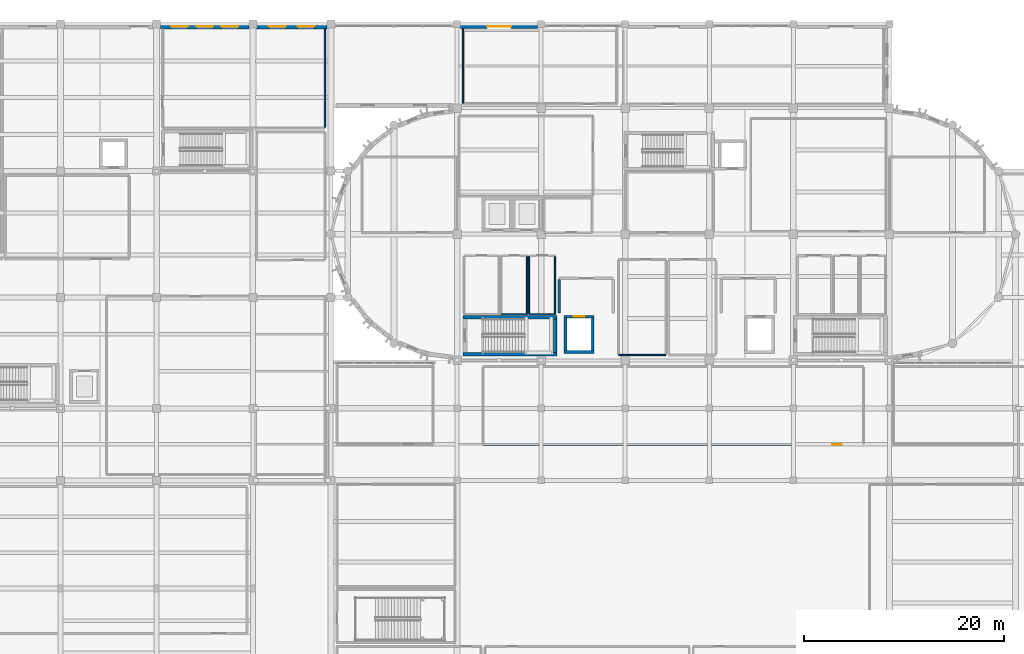
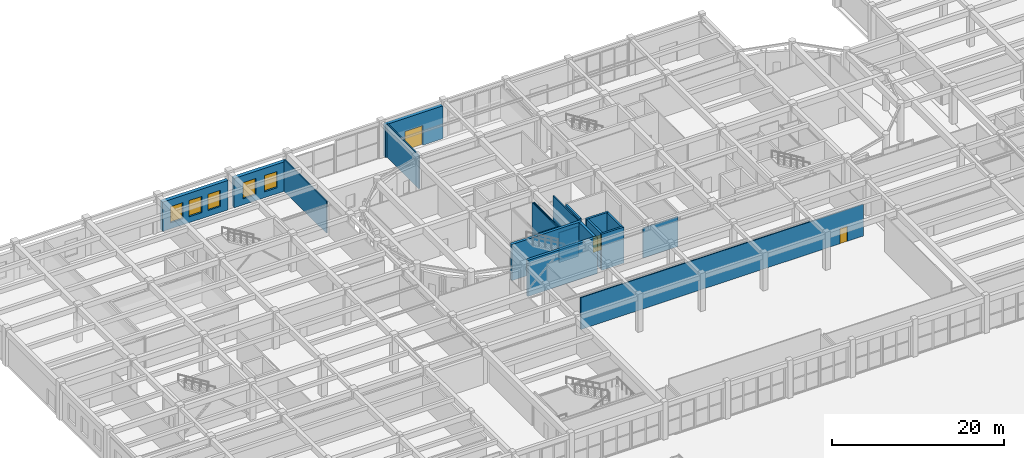
# One storey, part 72 of 98: 20 walls, 5 windows, 3 doors, 8 openings.
"""IFC4 building model written with IfcOpenShell, lengths in metres."""

from ifc_helpers import new_model, si_unit, direction, frame, frame_2d, origin, place, context, subcontext, project, spatial, rectangle, extrude, material, layer, layer_set, type_object, element, fill, save


model = new_model("IFC4")

# Units and contexts
model_context = context("Model", 3, precision=1e-05, world=origin(), true_north=direction((0.0, 1.0)))
body_context = subcontext(model_context, "Body", "Model", "MODEL_VIEW")
ifc_project = project(units=[si_unit("LENGTHUNIT", "METRE"), si_unit("AREAUNIT", "SQUARE_METRE"), si_unit("VOLUMEUNIT", "CUBIC_METRE"), si_unit("PLANEANGLEUNIT", "RADIAN"), si_unit("MASSUNIT", "GRAM", prefix="KILO")], contexts=[model_context])

# Site, building, storey
site_placement = place(None, origin())
site = spatial("IfcSite", under=ifc_project, at=site_placement, CompositionType="ELEMENT")
building_placement = place(site_placement, origin())
building = spatial("IfcBuilding", under=site, at=building_placement, Name="Tarnavel Promenade Courthouse", CompositionType="ELEMENT")
storey_placement = place(building_placement, origin())
storey = spatial("IfcBuildingStorey", under=building, at=storey_placement, Name="L01", CompositionType="ELEMENT", Elevation=0.0)

# Wall
ifc_material_1 = material(Name="Acoustic Insulated Gypsum Stud Partition", Category="gypsum")
ifc_layer_1 = layer(ifc_material_1, 0.1650390625)
ifc_layer_set_1 = layer_set([ifc_layer_1], Name="Acoustic Insulated Gypsum Stud Partition")
wall_type_1 = type_object("IfcWallType", Name="Acoustic Insulated Gypsum Stud Partition WL-CHM-165 (165 mm)", PredefinedType="PARTITIONING", material=ifc_layer_set_1)
wall_1_placement = place(storey_placement, frame((45.60009765625, 112.325927734375, 0.0), z_axis=(0.0, 0.0, 1.0), x_axis=(0.0, -1.0, 0.0)))
element("IfcWall", 1, at=wall_1_placement, inside=storey, type_object=wall_type_1, Name="L01 Jury Assembly Room Partition 0121", PredefinedType="PARTITIONING", context=body_context, shape_type="SweptSolid", body=[
    extrude(rectangle(XDim=9.83349609375, YDim=0.1650390625, at=frame_2d((4.916748046875, 0.0))), origin(), (0.0, 0.0, 1.0), 4.52001953125),
])

# Wall, opening, door
ifc_material_2 = material(Name="Concrete C40/50", Category="concrete")
ifc_layer_2 = layer(ifc_material_2, 0.280029296875)
ifc_layer_set_2 = layer_set([ifc_layer_2], Name="Concrete C40/50")
wall_type_2 = type_object("IfcWallType", Name="Concrete C40/50 WL-SHR-280 (280 mm)", PredefinedType="SHEAR", material=ifc_layer_set_2)
wall_2_placement = place(storey_placement, frame((69.5, 83.56005859375, 0.0), z_axis=(0.0, 0.0, 1.0), x_axis=(1.0, 0.0, 0.0)))
wall_2 = element("IfcWall", 2, at=wall_2_placement, inside=storey, type_object=wall_type_2, Name="L01 L-FF1 Lift Shaft North Wall", PredefinedType="SHEAR", context=body_context, shape_type="SweptSolid", body=[
    extrude(rectangle(XDim=3.0, YDim=0.280029296875, at=frame_2d((1.5, 0.0))), origin(), (0.0, 0.0, 1.0), 5.139892578125),
])
opening_1_placement = place(wall_2_placement, frame((0.949951171875, 0.0, 0.0)))
opening_1 = element("IfcOpeningElement", 3, at=opening_1_placement, cuts=wall_2, Name="Opening LD-01", PredefinedType="OPENING", context=body_context, shape_type="SweptSolid", body=[
    extrude(rectangle(XDim=1.10009765625, YDim=2.199951171875, at=frame_2d((0.550048828125, 1.10009765625))), frame((0.0, 0.14990234375, 0.0), z_axis=(0.0, -1.0, 0.0), x_axis=(1.0, 0.0, 0.0)), (0.0, 0.0, 1.0), 0.300048828125),
])
ifc_material_3 = material(Name="Stainless Steel Firefighting Lift Landing Sliding Door", Category="steel")
door_type_1 = type_object("IfcDoorType", Name="Stainless Steel Firefighting Lift Landing Sliding Door (LD-FF-1100x2200)", OperationType="NOTDEFINED", PredefinedType="DOOR", material=ifc_material_3)
door_1_placement = place(opening_1_placement, origin())
door_1 = element("IfcDoor", 4, at=door_1_placement, inside=storey, type_object=door_type_1, Name="L01 L-FF1 Lift Sliding Landing Door", OperationType="DOUBLE_DOOR_SLIDING", OverallHeight=2.199951171875, OverallWidth=1.10009765625, PredefinedType="DOOR", context=body_context, shape_type="SweptSolid", body=[
    extrude(rectangle(XDim=1.10009765625, YDim=2.199951171875, at=frame_2d((0.550048828125, 1.10009765625))), frame((0.0, 0.02490234375, 0.0), z_axis=(0.0, -1.0, 0.0), x_axis=(1.0, 0.0, 0.0)), (0.0, 0.0, 1.0), 0.050048828125),
])
fill(opening_1, door_1)

# Walls
wall_3_placement = place(storey_placement, frame((72.5, 80.0400390625, 0.0), z_axis=(0.0, 0.0, 1.0), x_axis=(-1.0, 0.0, 0.0)))
element("IfcWall", 5, at=wall_3_placement, inside=storey, type_object=wall_type_2, Name="L01 L-FF1 Lift Shaft South Wall", PredefinedType="SHEAR", context=body_context, shape_type="SweptSolid", body=[
    extrude(rectangle(XDim=3.0, YDim=0.280029296875, at=frame_2d((1.5, 0.0))), origin(), (0.0, 0.0, 1.0), 5.139892578125),
])
for number, where, z_axis, x_axis, name in (
    (6, (69.639892578125, 80.179931640625, 0.0), (0.0, 0.0, 1.0), (0.0, 1.0, 0.0), "L01 L-FF1 Lift Shaft West Wall"),
    (7, (72.360107421875, 83.419921875, 0.0), (0.0, 0.0, 1.0), (0.0, -1.0, 0.0), "L01 L-FF1 Lift Shaft East Wall"),
):
    element("IfcWall", number, at=place(storey_placement, frame(where, z_axis=z_axis, x_axis=x_axis)), inside=storey, type_object=wall_type_2, Name=name, PredefinedType="SHEAR", context=body_context, shape_type="SweptSolid", body=[
        extrude(rectangle(XDim=3.239990234375, YDim=0.280029296875, at=frame_2d((1.6201171875, 0.0))), origin(), (0.0, 0.0, 1.0), 5.139892578125),
    ])
ifc_layer_3 = layer(ifc_material_2, 0.360107421875)
ifc_layer_set_3 = layer_set([ifc_layer_3], Name="Concrete C40/50")
wall_type_3 = type_object("IfcWallType", Name="Concrete C40/50 WL-SHR-360 (360 mm)", PredefinedType="SHEAR", material=ifc_layer_set_3)
for number, where, z_axis, x_axis, name in (
    (8, (59.419921875, 83.52001953125, 0.0), (0.0, 0.0, 1.0), (1.0, 0.0, 0.0), "L01 ST-01 Shear Core North Wall"),
    (9, (68.780029296875, 79.800048828125, 0.0), (0.0, 0.0, 1.0), (-1.0, 0.0, 0.0), "L01 ST-01 Shear Core South Wall"),
):
    element("IfcWall", number, at=place(storey_placement, frame(where, z_axis=z_axis, x_axis=x_axis)), inside=storey, type_object=wall_type_3, Name=name, PredefinedType="SHEAR", context=body_context, shape_type="SweptSolid", body=[
        extrude(rectangle(XDim=9.360107421875, YDim=0.360107421875, at=frame_2d((4.68017578125, 0.0))), origin(), (0.0, 0.0, 1.0), 5.139892578125),
    ])
wall_4_placement = place(storey_placement, frame((68.60009765625, 83.340087890625, 0.0), z_axis=(0.0, 0.0, 1.0), x_axis=(0.0, -1.0, 0.0)))
element("IfcWall", 10, at=wall_4_placement, inside=storey, type_object=wall_type_3, Name="L01 ST-01 Shear Core East Wall", PredefinedType="SHEAR", context=body_context, shape_type="SweptSolid", body=[
    extrude(rectangle(XDim=3.360107421875, YDim=0.360107421875, at=frame_2d((1.68017578125, 0.0))), origin(), (0.0, 0.0, 1.0), 5.139892578125),
])
ifc_material_4 = material(Name="Concrete Masonry Fire Compartment Wall", Category="masonry")
ifc_layer_4 = layer(ifc_material_4, 0.22998046875)
ifc_layer_set_4 = layer_set([ifc_layer_4], Name="Concrete Masonry Fire Compartment Wall")
wall_type_4 = type_object("IfcWallType", Name="Concrete Masonry Fire Compartment Wall WL-CMP-230 (230 mm)", PredefinedType="STANDARD", material=ifc_layer_set_4)
wall_5_placement = place(storey_placement, frame((69.0, 83.925048828125, 0.0), z_axis=(0.0, 0.0, 1.0), x_axis=(0.0, 1.0, 0.0)))
element("IfcWall", 11, at=wall_5_placement, inside=storey, type_object=wall_type_4, Name="L01 Firefighting Lobby L-FF1 Partition 0084", PredefinedType="STANDARD", context=body_context, shape_type="SweptSolid", body=[
    extrude(rectangle(XDim=3.349853515625, YDim=0.22998046875, at=frame_2d((1.6748046875, 0.0))), origin(), (0.0, 0.0, 1.0), 5.125),
])

# Wall, opening, door
ifc_material_5 = material(Name="Limestone Ashlar Faced Insulated Brick Masonry", Category="masonry")
ifc_layer_5 = layer(ifc_material_5, 0.43994140625)
ifc_layer_set_5 = layer_set([ifc_layer_5], Name="Limestone Ashlar Faced Insulated Brick Masonry")
wall_type_5 = type_object("IfcWallType", Name="Limestone Ashlar Faced Insulated Brick Masonry WL-EXT-440 (440 mm)", PredefinedType="STANDARD", material=ifc_layer_set_5)
wall_6_placement = place(storey_placement, frame((59.14208984375, 112.550048828125, 0.0), z_axis=(0.0, 0.0, 1.0), x_axis=(1.0, 0.0, 0.0)))
wall_6 = element("IfcWall", 12, at=wall_6_placement, inside=storey, type_object=wall_type_5, Name="L01 North Civic Avenue Portal Wall 2 0019", PredefinedType="STANDARD", context=body_context, shape_type="SweptSolid", body=[
    extrude(rectangle(XDim=7.720947265625, YDim=0.43994140625, at=frame_2d((3.8603515625, 0.0))), origin(), (0.0, 0.0, 1.0), 4.669921875),
])
opening_2_placement = place(wall_6_placement, frame((2.657958984375, 0.0, 0.0)))
opening_2 = element("IfcOpeningElement", 13, at=opening_2_placement, cuts=wall_6, Name="Opening ED-01", PredefinedType="OPENING", context=body_context, shape_type="SweptSolid", body=[
    extrude(rectangle(XDim=2.39990234375, YDim=2.800048828125, at=frame_2d((1.199951171875, 1.39990234375))), frame((0.0, 0.22998046875, 0.0), z_axis=(0.0, -1.0, 0.0), x_axis=(1.0, 0.0, 0.0)), (0.0, 0.0, 1.0), 0.4599609375),
])
ifc_material_6 = material(Name="Bronze-Clad Insulated Civic Portal Double Door")
door_type_2 = type_object("IfcDoorType", Name="Bronze-Clad Insulated Civic Portal Double Door (ED-PORTAL-2400x2800)", OperationType="NOTDEFINED", PredefinedType="DOOR", material=ifc_material_6)
door_2_placement = place(opening_2_placement, origin())
door_2 = element("IfcDoor", 14, at=door_2_placement, inside=storey, type_object=door_type_2, Name="North Civic Avenue Entrance Door 2", OperationType="DOUBLE_DOOR_SINGLE_SWING", OverallHeight=2.800048828125, OverallWidth=2.39990234375, PredefinedType="DOOR", context=body_context, shape_type="SweptSolid", body=[
    extrude(rectangle(XDim=2.39990234375, YDim=2.800048828125, at=frame_2d((1.199951171875, 1.39990234375))), frame((0.0, 0.02490234375, 0.0), z_axis=(0.0, -1.0, 0.0), x_axis=(1.0, 0.0, 0.0)), (0.0, 0.0, 1.0), 0.050048828125),
])
fill(opening_2, door_2)

# Wall, openings, windows
ifc_layer_6 = layer(ifc_material_5, 0.47998046875)
ifc_layer_set_6 = layer_set([ifc_layer_6], Name="Limestone Ashlar Faced Insulated Brick Masonry")
wall_type_6 = type_object("IfcWallType", Name="Limestone Ashlar Faced Insulated Brick Masonry WL-EXT-480 (480 mm)", PredefinedType="STANDARD", material=ifc_layer_set_6)
wall_7_placement = place(storey_placement, frame((29.18701171875, 112.56005859375, 0.0), z_axis=(0.0, 0.0, 1.0), x_axis=(1.0, 0.0, 0.0)))
wall_7 = element("IfcWall", 15, at=wall_7_placement, inside=storey, type_object=wall_type_6, Name="L01 Trial Wing North Ashlar Facade 0275", PredefinedType="STANDARD", context=body_context, shape_type="SweptSolid", body=[
    extrude(rectangle(XDim=8.821044921875, YDim=0.47998046875, at=frame_2d((4.41064453125, 0.0))), origin(), (0.0, 0.0, 1.0), 4.179931640625),
])
opening_3_placement = place(wall_7_placement, frame((1.0498046875, 0.0, 0.85009765625)))
opening_3 = element("IfcOpeningElement", 16, at=opening_3_placement, cuts=wall_7, Name="Opening W-01", PredefinedType="OPENING", context=body_context, shape_type="SweptSolid", body=[
    extrude(rectangle(XDim=1.699951171875, YDim=2.300048828125, at=frame_2d((0.85009765625, 1.14990234375))), frame((0.0, 0.25, 0.0), z_axis=(0.0, -1.0, 0.0), x_axis=(1.0, 0.0, 0.0)), (0.0, 0.0, 1.0), 0.5),
])
opening_4_placement = place(wall_7_placement, frame((3.56298828125, 0.0, 0.85009765625)))
opening_4 = element("IfcOpeningElement", 17, at=opening_4_placement, cuts=wall_7, Name="Opening W-01", PredefinedType="OPENING", context=body_context, shape_type="SweptSolid", body=[
    extrude(rectangle(XDim=1.699951171875, YDim=2.300048828125, at=frame_2d((0.85009765625, 1.14990234375))), frame((0.0, 0.25, 0.0), z_axis=(0.0, -1.0, 0.0), x_axis=(1.0, 0.0, 0.0)), (0.0, 0.0, 1.0), 0.5),
])
opening_5_placement = place(wall_7_placement, frame((6.076416015625, 0.0, 0.85009765625)))
opening_5 = element("IfcOpeningElement", 18, at=opening_5_placement, cuts=wall_7, Name="Opening W-01", PredefinedType="OPENING", context=body_context, shape_type="SweptSolid", body=[
    extrude(rectangle(XDim=1.699951171875, YDim=2.300048828125, at=frame_2d((0.85009765625, 1.14990234375))), frame((0.0, 0.25, 0.0), z_axis=(0.0, -1.0, 0.0), x_axis=(1.0, 0.0, 0.0)), (0.0, 0.0, 1.0), 0.5),
])
ifc_material_7 = material(Name="Triple Low-E Glazed Bronze-Clad Window Assembly")
window_type = type_object("IfcWindowType", Name="Triple-Glazed Bronze-Clad Timber-Aluminium WIN-CRT-1700x2300", PartitioningType="SINGLE_PANEL", PredefinedType="WINDOW", material=ifc_material_7)
window_1_placement = place(opening_3_placement, origin())
window_1 = element("IfcWindow", 19, at=window_1_placement, inside=storey, type_object=window_type, Name="L01 Exterior Window 0238", OverallHeight=2.300048828125, OverallWidth=1.699951171875, PartitioningType="SINGLE_PANEL", PredefinedType="WINDOW", context=body_context, shape_type="SweptSolid", body=[
    extrude(rectangle(XDim=1.699951171875, YDim=2.300048828125, at=frame_2d((0.85009765625, 1.14990234375))), frame((0.0, 0.030029296875, 0.0), z_axis=(0.0, -1.0, 0.0), x_axis=(1.0, 0.0, 0.0)), (0.0, 0.0, 1.0), 0.06005859375),
])
fill(opening_3, window_1)
window_2_placement = place(opening_4_placement, origin())
window_2 = element("IfcWindow", 20, at=window_2_placement, inside=storey, type_object=window_type, Name="L01 Exterior Window 0239", OverallHeight=2.300048828125, OverallWidth=1.699951171875, PartitioningType="SINGLE_PANEL", PredefinedType="WINDOW", context=body_context, shape_type="SweptSolid", body=[
    extrude(rectangle(XDim=1.699951171875, YDim=2.300048828125, at=frame_2d((0.85009765625, 1.14990234375))), frame((0.0, 0.030029296875, 0.0), z_axis=(0.0, -1.0, 0.0), x_axis=(1.0, 0.0, 0.0)), (0.0, 0.0, 1.0), 0.06005859375),
])
fill(opening_4, window_2)
window_3_placement = place(opening_5_placement, origin())
window_3 = element("IfcWindow", 21, at=window_3_placement, inside=storey, type_object=window_type, Name="L01 Exterior Window 0240", OverallHeight=2.300048828125, OverallWidth=1.699951171875, PartitioningType="SINGLE_PANEL", PredefinedType="WINDOW", context=body_context, shape_type="SweptSolid", body=[
    extrude(rectangle(XDim=1.699951171875, YDim=2.300048828125, at=frame_2d((0.85009765625, 1.14990234375))), frame((0.0, 0.030029296875, 0.0), z_axis=(0.0, -1.0, 0.0), x_axis=(1.0, 0.0, 0.0)), (0.0, 0.0, 1.0), 0.06005859375),
])
fill(opening_5, window_3)

wall_8_placement = place(storey_placement, frame((38.787109375, 112.56005859375, 0.0), z_axis=(0.0, 0.0, 1.0), x_axis=(1.0, 0.0, 0.0)))
wall_8 = element("IfcWall", 22, at=wall_8_placement, inside=storey, type_object=wall_type_6, Name="L01 Trial Wing North Ashlar Facade 0276", PredefinedType="STANDARD", context=body_context, shape_type="SweptSolid", body=[
    extrude(rectangle(XDim=7.02587890625, YDim=0.47998046875, at=frame_2d((3.512939453125, 0.0))), origin(), (0.0, 0.0, 1.0), 4.179931640625),
])
opening_6_placement = place(wall_8_placement, frame((1.22802734375, 0.0, 0.85009765625)))
opening_6 = element("IfcOpeningElement", 23, at=opening_6_placement, cuts=wall_8, Name="Opening W-01", PredefinedType="OPENING", context=body_context, shape_type="SweptSolid", body=[
    extrude(rectangle(XDim=1.699951171875, YDim=2.300048828125, at=frame_2d((0.85009765625, 1.14990234375))), frame((0.0, 0.25, 0.0), z_axis=(0.0, -1.0, 0.0), x_axis=(1.0, 0.0, 0.0)), (0.0, 0.0, 1.0), 0.5),
])
opening_7_placement = place(wall_8_placement, frame((4.097900390625, 0.0, 0.85009765625)))
opening_7 = element("IfcOpeningElement", 24, at=opening_7_placement, cuts=wall_8, Name="Opening W-01", PredefinedType="OPENING", context=body_context, shape_type="SweptSolid", body=[
    extrude(rectangle(XDim=1.699951171875, YDim=2.300048828125, at=frame_2d((0.85009765625, 1.14990234375))), frame((0.0, 0.25, 0.0), z_axis=(0.0, -1.0, 0.0), x_axis=(1.0, 0.0, 0.0)), (0.0, 0.0, 1.0), 0.5),
])
window_4_placement = place(opening_6_placement, origin())
window_4 = element("IfcWindow", 25, at=window_4_placement, inside=storey, type_object=window_type, Name="L01 Exterior Window 0241", OverallHeight=2.300048828125, OverallWidth=1.699951171875, PartitioningType="SINGLE_PANEL", PredefinedType="WINDOW", context=body_context, shape_type="SweptSolid", body=[
    extrude(rectangle(XDim=1.699951171875, YDim=2.300048828125, at=frame_2d((0.85009765625, 1.14990234375))), frame((0.0, 0.030029296875, 0.0), z_axis=(0.0, -1.0, 0.0), x_axis=(1.0, 0.0, 0.0)), (0.0, 0.0, 1.0), 0.06005859375),
])
fill(opening_6, window_4)
window_5_placement = place(opening_7_placement, origin())
window_5 = element("IfcWindow", 26, at=window_5_placement, inside=storey, type_object=window_type, Name="L01 Exterior Window 0242", OverallHeight=2.300048828125, OverallWidth=1.699951171875, PartitioningType="SINGLE_PANEL", PredefinedType="WINDOW", context=body_context, shape_type="SweptSolid", body=[
    extrude(rectangle(XDim=1.699951171875, YDim=2.300048828125, at=frame_2d((0.85009765625, 1.14990234375))), frame((0.0, 0.030029296875, 0.0), z_axis=(0.0, -1.0, 0.0), x_axis=(1.0, 0.0, 0.0)), (0.0, 0.0, 1.0), 0.06005859375),
])
fill(opening_7, window_5)

# Wall, opening, door
ifc_material_8 = material(Name="Metal-Stud Acoustic Gypsum Partition", Category="gypsum")
ifc_layer_7 = layer(ifc_material_8, 0.135009765625)
ifc_layer_set_7 = layer_set([ifc_layer_7], Name="Metal-Stud Acoustic Gypsum Partition")
wall_type_7 = type_object("IfcWallType", Name="Metal-Stud Acoustic Gypsum Partition WL-OFF-135 (135 mm)", PredefinedType="PARTITIONING", material=ifc_layer_set_7)
wall_9_placement = place(storey_placement, frame((99.39990234375, 70.800048828125, 0.0), z_axis=(0.0, 0.0, 1.0), x_axis=(-1.0, 0.0, 0.0)))
wall_9 = element("IfcWall", 27, at=wall_9_placement, inside=storey, type_object=wall_type_7, Name="L01 Central Civil and Commercial Docket Registry Partition 0181", PredefinedType="PARTITIONING", context=body_context, shape_type="SweptSolid", body=[
    extrude(rectangle(XDim=38.0, YDim=0.135009765625, at=frame_2d((19.0, 0.0))), origin(), (0.0, 0.0, 1.0), 4.530029296875),
])
opening_8_placement = place(wall_9_placement, frame((2.16748046875, 0.0, 0.0)))
opening_8 = element("IfcOpeningElement", 28, at=opening_8_placement, cuts=wall_9, Name="Opening ID-06", PredefinedType="OPENING", context=body_context, shape_type="SweptSolid", body=[
    extrude(rectangle(XDim=0.949951171875, YDim=2.14990234375, at=frame_2d((0.47509765625, 1.074951171875))), frame((0.0, 0.077392578125, 0.0), z_axis=(0.0, -1.0, 0.0), x_axis=(1.0, 0.0, 0.0)), (0.0, 0.0, 1.0), 0.155029296875),
])
ifc_material_9 = material(Name="Acoustic Timber Veneer Office Door", Category="wood")
door_type_3 = type_object("IfcDoorType", Name="Acoustic Timber Veneer Office Door (DR-OFF-0950x2150)", OperationType="NOTDEFINED", PredefinedType="DOOR", material=ifc_material_9)
door_3_placement = place(opening_8_placement, origin())
door_3 = element("IfcDoor", 29, at=door_3_placement, inside=storey, type_object=door_type_3, Name="L01 Central Civil and Commercial Docket Registry Door 0052", OperationType="SINGLE_SWING_LEFT", OverallHeight=2.14990234375, OverallWidth=0.949951171875, PredefinedType="DOOR", context=body_context, shape_type="SweptSolid", body=[
    extrude(rectangle(XDim=0.949951171875, YDim=2.14990234375, at=frame_2d((0.47509765625, 1.074951171875))), frame((0.0, 0.02490234375, 0.0), z_axis=(0.0, -1.0, 0.0), x_axis=(1.0, 0.0, 0.0)), (0.0, 0.0, 1.0), 0.050048828125),
])
fill(opening_8, door_3)

# Walls
wall_10_placement = place(storey_placement, frame((59.39990234375, 104.87744140625, 0.0), z_axis=(0.0, 0.0, 1.0), x_axis=(0.0, 1.0, 0.0)))
element("IfcWall", 30, at=wall_10_placement, inside=storey, type_object=wall_type_7, Name="L01 North Civic Avenue Entrance Vestibule Partition 0193", PredefinedType="PARTITIONING", context=body_context, shape_type="SweptSolid", body=[
    extrude(rectangle(XDim=7.45849609375, YDim=0.135009765625, at=frame_2d((3.729248046875, 0.0))), origin(), (0.0, 0.0, 1.0), 4.7900390625),
])
wall_11_placement = place(storey_placement, frame((79.659912109375, 79.739990234375, 0.0), z_axis=(0.0, 0.0, 1.0), x_axis=(-1.0, 0.0, 0.0)))
element("IfcWall", 31, at=wall_11_placement, inside=storey, type_object=wall_type_7, Name="L01 Notary and Apostille Counter Room Partition 0233", PredefinedType="PARTITIONING", context=body_context, shape_type="SweptSolid", body=[
    extrude(rectangle(XDim=4.719970703125, YDim=0.135009765625, at=frame_2d((2.35986328125, 0.0))), origin(), (0.0, 0.0, 1.0), 4.27001953125),
])
ifc_material_10 = material(Name="Moisture-Resistant Tile-Backed Stud Partition", Category="gypsum")
ifc_layer_8 = layer(ifc_material_10, 0.125)
ifc_layer_set_8 = layer_set([ifc_layer_8], Name="Moisture-Resistant Tile-Backed Stud Partition")
wall_type_8 = type_object("IfcWallType", Name="Moisture-Resistant Tile-Backed Stud Partition WL-WET-125 (125 mm)", PredefinedType="PARTITIONING", material=ifc_layer_set_8)
wall_12_placement = place(storey_placement, frame((65.800048828125, 83.800048828125, 0.0), z_axis=(0.0, 0.0, 1.0), x_axis=(-1.0, 0.0, 0.0)))
element("IfcWall", 32, at=wall_12_placement, inside=storey, type_object=wall_type_8, Name="L01 Public WC Partition 0090", PredefinedType="PARTITIONING", context=body_context, shape_type="SweptSolid", body=[
    extrude(rectangle(XDim=2.60009765625, YDim=0.125, at=frame_2d((1.300048828125, 0.0))), origin(), (0.0, 0.0, 1.0), 5.125),
])
wall_13_placement = place(storey_placement, frame((65.800048828125, 89.577392578125, 0.0), z_axis=(0.0, 0.0, 1.0), x_axis=(0.0, -1.0, 0.0)))
element("IfcWall", 33, at=wall_13_placement, inside=storey, type_object=wall_type_8, Name="L01 Public WC Partition 0092", PredefinedType="PARTITIONING", context=body_context, shape_type="SweptSolid", body=[
    extrude(rectangle(XDim=5.704833984375, YDim=0.125, at=frame_2d((2.8525390625, 0.0))), origin(), (0.0, 0.0, 1.0), 5.125),
])
wall_14_placement = place(storey_placement, frame((68.60009765625, 83.800048828125, 0.0), z_axis=(0.0, 0.0, 1.0), x_axis=(-1.0, 0.0, 0.0)))
element("IfcWall", 34, at=wall_14_placement, inside=storey, type_object=wall_type_8, Name="L01 Accessible WC Partition 0094", PredefinedType="PARTITIONING", context=body_context, shape_type="SweptSolid", body=[
    extrude(rectangle(XDim=2.60009765625, YDim=0.125, at=frame_2d((1.300048828125, 0.0))), origin(), (0.0, 0.0, 1.0), 4.27001953125),
])
for number, where, z_axis, x_axis, name in (
    (35, (66.0, 83.87255859375, 0.0), (0.0, 0.0, 1.0), (0.0, 1.0, 0.0), "L01 Accessible WC Partition 0095"),
    (36, (68.60009765625, 89.577392578125, 0.0), (0.0, 0.0, 1.0), (0.0, -1.0, 0.0), "L01 Accessible WC Partition 0096"),
):
    element("IfcWall", number, at=place(storey_placement, frame(where, z_axis=z_axis, x_axis=x_axis)), inside=storey, type_object=wall_type_8, Name=name, PredefinedType="PARTITIONING", context=body_context, shape_type="SweptSolid", body=[
        extrude(rectangle(XDim=5.704833984375, YDim=0.125, at=frame_2d((2.8525390625, 0.0))), origin(), (0.0, 0.0, 1.0), 5.125),
    ])

save(model, "model.ifc")
